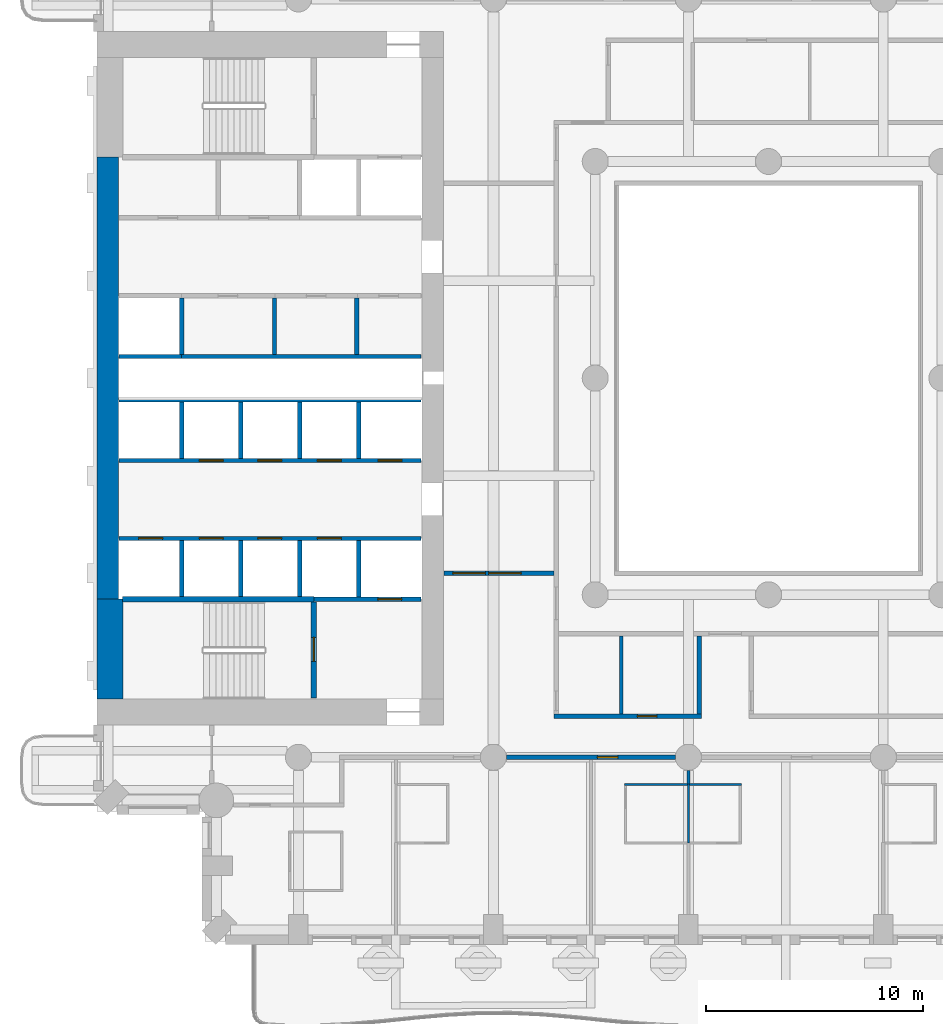
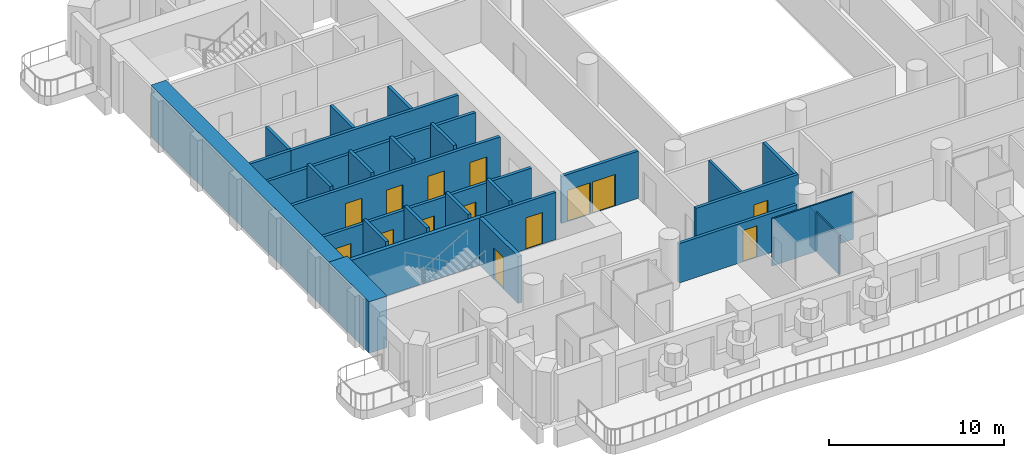
# One storey, part 4 of 20: 29 walls, 14 doors, 14 openings.
"""IFC4 building model written with IfcOpenShell, lengths in metres."""

from ifc_helpers import new_model, si_unit, direction, frame, frame_2d, origin, place, context, subcontext, project, spatial, rectangle, extrude, material, layer, layer_set, type_object, element, fill, save


model = new_model("IFC4")

# Units and contexts
model_context = context("Model", 3, precision=1e-05, world=origin(), true_north=direction((0.0, 1.0)))
body_context = subcontext(model_context, "Body", "Model", "MODEL_VIEW")
ifc_project = project(units=[si_unit("LENGTHUNIT", "METRE"), si_unit("AREAUNIT", "SQUARE_METRE"), si_unit("VOLUMEUNIT", "CUBIC_METRE"), si_unit("PLANEANGLEUNIT", "RADIAN"), si_unit("MASSUNIT", "GRAM", prefix="KILO")], contexts=[model_context])

# Site, building, storey
site_placement = place(None, origin())
site = spatial("IfcSite", under=ifc_project, at=site_placement, CompositionType="ELEMENT")
building_placement = place(site_placement, origin())
building = spatial("IfcBuilding", under=site, at=building_placement, Name="Cypress Arch Tower", CompositionType="ELEMENT")
storey_placement = place(building_placement, frame((0.0, 0.0, 95.10009765625)))
storey = spatial("IfcBuildingStorey", under=building, at=storey_placement, Name="L18", CompositionType="ELEMENT", Elevation=95.10009765625)

# Walls
ifc_material_1 = material(Name="Concrete C80/95", Category="concrete")
ifc_layer_1 = layer(ifc_material_1, 1.0)
ifc_layer_set_1 = layer_set([ifc_layer_1], Name="Core wall CW1000 C80/95")
wall_type_1 = type_object("IfcWallType", Name="Core wall CW1000 C80/95", PredefinedType="SHEAR", material=ifc_layer_set_1)
wall_1_placement = place(storey_placement, frame((-29.5, -10.199951171875, 0.0), z_axis=(0.0, 0.0, 1.0), x_axis=(0.0, 1.0, 0.0)))
element("IfcWall", 1, at=wall_1_placement, inside=storey, type_object=wall_type_1, Name="Core wall", PredefinedType="SHEAR", context=body_context, shape_type="SweptSolid", body=[
    extrude(rectangle(XDim=20.39990234375, YDim=1.0, at=frame_2d((10.199951171875, 0.0))), origin(), (0.0, 0.0, 1.0), 3.599853515625),
])
ifc_material_2 = material(Name="Concrete C80/95", Category="concrete")
ifc_layer_2 = layer(ifc_material_2, 1.199951171875)
ifc_layer_set_2 = layer_set([ifc_layer_2], Name="Core wall CW1200 C80/95")
wall_type_2 = type_object("IfcWallType", Name="Core wall CW1200 C80/95", PredefinedType="SHEAR", material=ifc_layer_set_2)
wall_2_placement = place(storey_placement, frame((-29.39990234375, -14.800048828125, 0.0), z_axis=(0.0, 0.0, 1.0), x_axis=(0.0, 1.0, 0.0)))
element("IfcWall", 2, at=wall_2_placement, inside=storey, type_object=wall_type_2, Name="Core wall", PredefinedType="SHEAR", context=body_context, shape_type="SweptSolid", body=[
    extrude(rectangle(XDim=4.60009765625, YDim=1.199951171875, at=frame_2d((2.300048828125, 0.0))), origin(), (0.0, 0.0, 1.0), 3.599853515625),
])

# Wall, opening, door
ifc_material_3 = material(Name="Concrete blockwork, plastered, rated", Category="masonry")
ifc_layer_3 = layer(ifc_material_3, 0.199951171875)
ifc_layer_set_3 = layer_set([ifc_layer_3], Name="Corridor wall FW200")
wall_type_3 = type_object("IfcWallType", Name="Corridor wall FW200", PredefinedType="PARTITIONING", material=ifc_layer_set_3)
wall_3_placement = place(storey_placement, frame((-11.10009765625, -17.5, 0.0), z_axis=(0.0, 0.0, 1.0), x_axis=(1.0, 0.0, 0.0)))
wall_3 = element("IfcWall", 3, at=wall_3_placement, inside=storey, type_object=wall_type_3, Name="Corridor wall", PredefinedType="PARTITIONING", context=body_context, shape_type="SweptSolid", body=[
    extrude(rectangle(XDim=7.800048828125, YDim=0.199951171875, at=frame_2d((3.89990234375, 0.0))), origin(), (0.0, 0.0, 1.0), 2.75),
])
opening_1_placement = place(wall_3_placement, frame((4.199951171875, 0.0, 0.0)))
opening_1 = element("IfcOpeningElement", 4, at=opening_1_placement, cuts=wall_3, Name="Opening D02", PredefinedType="OPENING", context=body_context, shape_type="SweptSolid", body=[
    extrude(rectangle(XDim=0.949951171875, YDim=2.199951171875, at=frame_2d((0.47509765625, 1.10009765625))), frame((0.0, 0.10986328125, 0.0), z_axis=(0.0, -1.0, 0.0), x_axis=(1.0, 0.0, 0.0)), (0.0, 0.0, 1.0), 0.219970703125),
])
ifc_material_4 = material(Name="Timber flush door, fire resisting", Category="wood")
door_type_1 = type_object("IfcDoorType", Name="Room door D02 950x2200", OperationType="SINGLE_SWING_LEFT", PredefinedType="DOOR", material=ifc_material_4)
door_1_placement = place(opening_1_placement, origin())
door_1 = element("IfcDoor", 5, at=door_1_placement, inside=storey, type_object=door_type_1, Name="Room door", OperationType="SINGLE_SWING_RIGHT", OverallHeight=2.199951171875, OverallWidth=0.949951171875, PredefinedType="DOOR", context=body_context, shape_type="SweptSolid", body=[
    extrude(rectangle(XDim=0.949951171875, YDim=2.199951171875, at=frame_2d((0.47509765625, 1.10009765625))), frame((0.0, 0.02490234375, 0.0), z_axis=(0.0, -1.0, 0.0), x_axis=(1.0, 0.0, 0.0)), (0.0, 0.0, 1.0), 0.050048828125),
])
fill(opening_1, door_1)

# Wall, openings, doors
wall_4_placement = place(storey_placement, frame((-13.969970703125, -9.0, 0.0), z_axis=(0.0, 0.0, 1.0), x_axis=(1.0, 0.0, 0.0)))
wall_4 = element("IfcWall", 6, at=wall_4_placement, inside=storey, type_object=wall_type_3, Name="Corridor wall", PredefinedType="PARTITIONING", context=body_context, shape_type="SweptSolid", body=[
    extrude(rectangle(XDim=5.070068359375, YDim=0.199951171875, at=frame_2d((2.53515625, 0.0))), origin(), (0.0, 0.0, 1.0), 3.2998046875),
])
opening_2_placement = place(wall_4_placement, frame((0.39990234375, 0.0, 0.0)))
opening_2 = element("IfcOpeningElement", 7, at=opening_2_placement, cuts=wall_4, Name="Opening D04", PredefinedType="OPENING", context=body_context, shape_type="SweptSolid", body=[
    extrude(rectangle(XDim=1.5, YDim=2.199951171875, at=frame_2d((0.75, 1.10009765625))), frame((0.0, 0.10986328125, 0.0), z_axis=(0.0, -1.0, 0.0), x_axis=(1.0, 0.0, 0.0)), (0.0, 0.0, 1.0), 0.219970703125),
])
opening_3_placement = place(wall_4_placement, frame((2.050048828125, 0.0, 0.0)))
opening_3 = element("IfcOpeningElement", 8, at=opening_3_placement, cuts=wall_4, Name="Opening D04", PredefinedType="OPENING", context=body_context, shape_type="SweptSolid", body=[
    extrude(rectangle(XDim=1.5, YDim=2.199951171875, at=frame_2d((0.75, 1.10009765625))), frame((0.0, 0.10986328125, 0.0), z_axis=(0.0, -1.0, 0.0), x_axis=(1.0, 0.0, 0.0)), (0.0, 0.0, 1.0), 0.219970703125),
])
ifc_material_5 = material(Name="Timber double door", Category="wood")
door_type_2 = type_object("IfcDoorType", Name="Double door D04 1500x2200", OperationType="DOUBLE_DOOR_SINGLE_SWING", PredefinedType="DOOR", material=ifc_material_5)
door_2_placement = place(opening_2_placement, origin())
door_2 = element("IfcDoor", 9, at=door_2_placement, inside=storey, type_object=door_type_2, Name="Double door", OperationType="DOUBLE_DOOR_SINGLE_SWING", OverallHeight=2.199951171875, OverallWidth=1.5, PredefinedType="DOOR", context=body_context, shape_type="SweptSolid", body=[
    extrude(rectangle(XDim=1.5, YDim=2.199951171875, at=frame_2d((0.75, 1.10009765625))), frame((0.0, 0.02490234375, 0.0), z_axis=(0.0, -1.0, 0.0), x_axis=(1.0, 0.0, 0.0)), (0.0, 0.0, 1.0), 0.050048828125),
])
fill(opening_2, door_2)
door_3_placement = place(opening_3_placement, origin())
door_3 = element("IfcDoor", 10, at=door_3_placement, inside=storey, type_object=door_type_2, Name="Double door", OperationType="DOUBLE_DOOR_SINGLE_SWING", OverallHeight=2.199951171875, OverallWidth=1.5, PredefinedType="DOOR", context=body_context, shape_type="SweptSolid", body=[
    extrude(rectangle(XDim=1.5, YDim=2.199951171875, at=frame_2d((0.75, 1.10009765625))), frame((0.0, 0.02490234375, 0.0), z_axis=(0.0, -1.0, 0.0), x_axis=(1.0, 0.0, 0.0)), (0.0, 0.0, 1.0), 0.050048828125),
])
fill(opening_3, door_3)

# Wall, opening, door
wall_5_placement = place(storey_placement, frame((-8.89990234375, -15.60009765625, 0.0), z_axis=(0.0, 0.0, 1.0), x_axis=(1.0, 0.0, 0.0)))
wall_5 = element("IfcWall", 11, at=wall_5_placement, inside=storey, type_object=wall_type_3, Name="Corridor wall", PredefinedType="PARTITIONING", context=body_context, shape_type="SweptSolid", body=[
    extrude(rectangle(XDim=6.7998046875, YDim=0.199951171875, at=frame_2d((3.39990234375, 0.0))), origin(), (0.0, 0.0, 1.0), 3.2998046875),
])
opening_4_placement = place(wall_5_placement, frame((3.85009765625, 0.0, 0.0)))
opening_4 = element("IfcOpeningElement", 12, at=opening_4_placement, cuts=wall_5, Name="Opening D05", PredefinedType="OPENING", context=body_context, shape_type="SweptSolid", body=[
    extrude(rectangle(XDim=0.89990234375, YDim=2.199951171875, at=frame_2d((0.449951171875, 1.10009765625))), frame((0.0, 0.10986328125, 0.0), z_axis=(0.0, -1.0, 0.0), x_axis=(1.0, 0.0, 0.0)), (0.0, 0.0, 1.0), 0.219970703125),
])
ifc_material_6 = material(Name="Timber flush door", Category="wood")
door_type_3 = type_object("IfcDoorType", Name="Service door D05 900x2200", OperationType="SINGLE_SWING_LEFT", PredefinedType="DOOR", material=ifc_material_6)
door_4_placement = place(opening_4_placement, origin())
door_4 = element("IfcDoor", 13, at=door_4_placement, inside=storey, type_object=door_type_3, Name="Service door", OperationType="SINGLE_SWING_LEFT", OverallHeight=2.199951171875, OverallWidth=0.89990234375, PredefinedType="DOOR", context=body_context, shape_type="SweptSolid", body=[
    extrude(rectangle(XDim=0.89990234375, YDim=2.199951171875, at=frame_2d((0.449951171875, 1.10009765625))), frame((0.0, 0.02490234375, 0.0), z_axis=(0.0, -1.0, 0.0), x_axis=(1.0, 0.0, 0.0)), (0.0, 0.0, 1.0), 0.050048828125),
])
fill(opening_4, door_4)

# Walls
wall_6_placement = place(storey_placement, frame((-2.199951171875, -15.5, 0.0), z_axis=(0.0, 0.0, 1.0), x_axis=(0.0, 1.0, 0.0)))
element("IfcWall", 14, at=wall_6_placement, inside=storey, type_object=wall_type_3, Name="Corridor wall", PredefinedType="PARTITIONING", context=body_context, shape_type="SweptSolid", body=[
    extrude(rectangle(XDim=3.60009765625, YDim=0.199951171875, at=frame_2d((1.800048828125, 0.0))), origin(), (0.0, 0.0, 1.0), 3.2998046875),
])
ifc_material_7 = material(Name="Blockwork, plastered both sides", Category="masonry")
ifc_layer_4 = layer(ifc_material_7, 0.14990234375)
ifc_layer_set_4 = layer_set([ifc_layer_4], Name="Partition PW150")
wall_type_4 = type_object("IfcWallType", Name="Partition PW150", PredefinedType="PARTITIONING", material=ifc_layer_set_4)
wall_7_placement = place(storey_placement, frame((-5.800048828125, -15.5, 0.0), z_axis=(0.0, 0.0, 1.0), x_axis=(0.0, 1.0, 0.0)))
element("IfcWall", 15, at=wall_7_placement, inside=storey, type_object=wall_type_4, Name="Partition", PredefinedType="PARTITIONING", context=body_context, shape_type="SweptSolid", body=[
    extrude(rectangle(XDim=3.60009765625, YDim=0.14990234375, at=frame_2d((1.800048828125, 0.0))), origin(), (0.0, 0.0, 1.0), 3.2998046875),
])
wall_8_placement = place(storey_placement, frame((-2.699951171875, -18.72998046875, 0.0), z_axis=(0.0, 0.0, 1.0), x_axis=(0.0, 1.0, 0.0)))
element("IfcWall", 16, at=wall_8_placement, inside=storey, type_object=wall_type_4, Name="Partition", PredefinedType="PARTITIONING", context=body_context, shape_type="SweptSolid", body=[
    extrude(rectangle(XDim=0.6298828125, YDim=0.14990234375, at=frame_2d((0.31494140625, 0.0))), origin(), (0.0, 0.0, 1.0), 2.75),
])
ifc_material_8 = material(Name="Reinforced blockwork, plastered, rated", Category="masonry")
ifc_layer_5 = layer(ifc_material_8, 0.199951171875)
ifc_layer_set_5 = layer_set([ifc_layer_5], Name="Plant and riser wall PL200")
wall_type_5 = type_object("IfcWallType", Name="Plant and riser wall PL200", PredefinedType="PARTITIONING", material=ifc_layer_set_5)
wall_9_placement = place(storey_placement, frame((-26.10009765625, 1.0, 0.0), z_axis=(0.0, 0.0, 1.0), x_axis=(1.0, 0.0, 0.0)))
element("IfcWall", 17, at=wall_9_placement, inside=storey, type_object=wall_type_5, Name="Plant and riser wall", PredefinedType="PARTITIONING", context=body_context, shape_type="SweptSolid", body=[
    extrude(rectangle(XDim=11.070068359375, YDim=0.199951171875, at=frame_2d((5.53515625, 0.0))), origin(), (0.0, 0.0, 1.0), 3.2998046875),
])
for number, where, z_axis, x_axis, name in (
    (18, (-21.800048828125, 1.10009765625, 0.0), (0.0, 0.0, 1.0), (0.0, 1.0, 0.0), "Plant and riser wall"),
    (19, (-18.0, 1.10009765625, 0.0), (0.0, 0.0, 1.0), (0.0, 1.0, 0.0), "Plant and riser wall"),
):
    element("IfcWall", number, at=place(storey_placement, frame(where, z_axis=z_axis, x_axis=x_axis)), inside=storey, type_object=wall_type_5, Name=name, PredefinedType="PARTITIONING", context=body_context, shape_type="SweptSolid", body=[
        extrude(rectangle(XDim=2.599853515625, YDim=0.199951171875, at=frame_2d((1.2998046875, 0.0))), origin(), (0.0, 0.0, 1.0), 3.2998046875),
    ])

# Wall, openings, doors
ifc_material_9 = material(Name="Concrete C50/60", Category="concrete")
ifc_layer_6 = layer(ifc_material_9, 0.199951171875)
ifc_layer_set_6 = layer_set([ifc_layer_6], Name="Shaft wall SH200")
wall_type_6 = type_object("IfcWallType", Name="Shaft wall SH200", PredefinedType="SHEAR", material=ifc_layer_set_6)
wall_10_placement = place(storey_placement, frame((-28.969970703125, -7.39990234375, 0.0), z_axis=(0.0, 0.0, 1.0), x_axis=(1.0, 0.0, 0.0)))
wall_10 = element("IfcWall", 20, at=wall_10_placement, inside=storey, type_object=wall_type_6, Name="Shaft wall", PredefinedType="SHEAR", context=body_context, shape_type="SweptSolid", body=[
    extrude(rectangle(XDim=13.93994140625, YDim=0.199951171875, at=frame_2d((6.969970703125, 0.0))), origin(), (0.0, 0.0, 1.0), 3.2998046875),
])
opening_5_placement = place(wall_10_placement, frame((0.89990234375, 0.0, 0.0)))
opening_5 = element("IfcOpeningElement", 21, at=opening_5_placement, cuts=wall_10, Name="Opening LD-LR1", PredefinedType="OPENING", context=body_context, shape_type="SweptSolid", body=[
    extrude(rectangle(XDim=1.10009765625, YDim=2.199951171875, at=frame_2d((0.550048828125, 1.10009765625))), frame((0.0, 0.10986328125, 0.0), z_axis=(0.0, -1.0, 0.0), x_axis=(1.0, 0.0, 0.0)), (0.0, 0.0, 1.0), 0.219970703125),
])
opening_6_placement = place(wall_10_placement, frame((3.699951171875, 0.0, 0.0)))
opening_6 = element("IfcOpeningElement", 22, at=opening_6_placement, cuts=wall_10, Name="Opening LD-LR2", PredefinedType="OPENING", context=body_context, shape_type="SweptSolid", body=[
    extrude(rectangle(XDim=1.10009765625, YDim=2.199951171875, at=frame_2d((0.550048828125, 1.10009765625))), frame((0.0, 0.10986328125, 0.0), z_axis=(0.0, -1.0, 0.0), x_axis=(1.0, 0.0, 0.0)), (0.0, 0.0, 1.0), 0.219970703125),
])
opening_7_placement = place(wall_10_placement, frame((6.39990234375, 0.0, 0.0)))
opening_7 = element("IfcOpeningElement", 23, at=opening_7_placement, cuts=wall_10, Name="Opening LD-LR3", PredefinedType="OPENING", context=body_context, shape_type="SweptSolid", body=[
    extrude(rectangle(XDim=1.10009765625, YDim=2.199951171875, at=frame_2d((0.550048828125, 1.10009765625))), frame((0.0, 0.10986328125, 0.0), z_axis=(0.0, -1.0, 0.0), x_axis=(1.0, 0.0, 0.0)), (0.0, 0.0, 1.0), 0.219970703125),
])
opening_8_placement = place(wall_10_placement, frame((9.14990234375, 0.0, 0.0)))
opening_8 = element("IfcOpeningElement", 24, at=opening_8_placement, cuts=wall_10, Name="Opening LD-LR4", PredefinedType="OPENING", context=body_context, shape_type="SweptSolid", body=[
    extrude(rectangle(XDim=1.10009765625, YDim=2.199951171875, at=frame_2d((0.550048828125, 1.10009765625))), frame((0.0, 0.10986328125, 0.0), z_axis=(0.0, -1.0, 0.0), x_axis=(1.0, 0.0, 0.0)), (0.0, 0.0, 1.0), 0.219970703125),
])
ifc_material_10 = material(Name="Stainless steel centre-opening landing door, rated", Category="steel")
door_type_4 = type_object("IfcDoorType", Name="Lift landing door LD 1100x2200", OperationType="DOUBLE_DOOR_SLIDING", PredefinedType="DOOR", material=ifc_material_10)
door_5_placement = place(opening_5_placement, origin())
door_5 = element("IfcDoor", 25, at=door_5_placement, inside=storey, type_object=door_type_4, Name="Lift landing doors LR1", OperationType="DOUBLE_DOOR_SLIDING", OverallHeight=2.199951171875, OverallWidth=1.10009765625, PredefinedType="DOOR", context=body_context, shape_type="SweptSolid", body=[
    extrude(rectangle(XDim=1.10009765625, YDim=2.199951171875, at=frame_2d((0.550048828125, 1.10009765625))), frame((0.0, 0.02490234375, 0.0), z_axis=(0.0, -1.0, 0.0), x_axis=(1.0, 0.0, 0.0)), (0.0, 0.0, 1.0), 0.050048828125),
])
fill(opening_5, door_5)
door_6_placement = place(opening_6_placement, origin())
door_6 = element("IfcDoor", 26, at=door_6_placement, inside=storey, type_object=door_type_4, Name="Lift landing doors LR2", OperationType="DOUBLE_DOOR_SLIDING", OverallHeight=2.199951171875, OverallWidth=1.10009765625, PredefinedType="DOOR", context=body_context, shape_type="SweptSolid", body=[
    extrude(rectangle(XDim=1.10009765625, YDim=2.199951171875, at=frame_2d((0.550048828125, 1.10009765625))), frame((0.0, 0.02490234375, 0.0), z_axis=(0.0, -1.0, 0.0), x_axis=(1.0, 0.0, 0.0)), (0.0, 0.0, 1.0), 0.050048828125),
])
fill(opening_6, door_6)
door_7_placement = place(opening_7_placement, origin())
door_7 = element("IfcDoor", 27, at=door_7_placement, inside=storey, type_object=door_type_4, Name="Lift landing doors LR3", OperationType="DOUBLE_DOOR_SLIDING", OverallHeight=2.199951171875, OverallWidth=1.10009765625, PredefinedType="DOOR", context=body_context, shape_type="SweptSolid", body=[
    extrude(rectangle(XDim=1.10009765625, YDim=2.199951171875, at=frame_2d((0.550048828125, 1.10009765625))), frame((0.0, 0.02490234375, 0.0), z_axis=(0.0, -1.0, 0.0), x_axis=(1.0, 0.0, 0.0)), (0.0, 0.0, 1.0), 0.050048828125),
])
fill(opening_7, door_7)
door_8_placement = place(opening_8_placement, origin())
door_8 = element("IfcDoor", 28, at=door_8_placement, inside=storey, type_object=door_type_4, Name="Lift landing doors LR4", OperationType="DOUBLE_DOOR_SLIDING", OverallHeight=2.199951171875, OverallWidth=1.10009765625, PredefinedType="DOOR", context=body_context, shape_type="SweptSolid", body=[
    extrude(rectangle(XDim=1.10009765625, YDim=2.199951171875, at=frame_2d((0.550048828125, 1.10009765625))), frame((0.0, 0.02490234375, 0.0), z_axis=(0.0, -1.0, 0.0), x_axis=(1.0, 0.0, 0.0)), (0.0, 0.0, 1.0), 0.050048828125),
])
fill(opening_8, door_8)

wall_11_placement = place(storey_placement, frame((-28.969970703125, -3.800048828125, 0.0), z_axis=(0.0, 0.0, 1.0), x_axis=(1.0, 0.0, 0.0)))
wall_11 = element("IfcWall", 29, at=wall_11_placement, inside=storey, type_object=wall_type_6, Name="Shaft wall", PredefinedType="SHEAR", context=body_context, shape_type="SweptSolid", body=[
    extrude(rectangle(XDim=13.93994140625, YDim=0.199951171875, at=frame_2d((6.969970703125, 0.0))), origin(), (0.0, 0.0, 1.0), 3.2998046875),
])
opening_9_placement = place(wall_11_placement, frame((3.699951171875, 0.0, 0.0)))
opening_9 = element("IfcOpeningElement", 30, at=opening_9_placement, cuts=wall_11, Name="Opening LD-LR5", PredefinedType="OPENING", context=body_context, shape_type="SweptSolid", body=[
    extrude(rectangle(XDim=1.10009765625, YDim=2.199951171875, at=frame_2d((0.550048828125, 1.10009765625))), frame((0.0, 0.10986328125, 0.0), z_axis=(0.0, -1.0, 0.0), x_axis=(1.0, 0.0, 0.0)), (0.0, 0.0, 1.0), 0.219970703125),
])
opening_10_placement = place(wall_11_placement, frame((6.39990234375, 0.0, 0.0)))
opening_10 = element("IfcOpeningElement", 31, at=opening_10_placement, cuts=wall_11, Name="Opening LD-LR6", PredefinedType="OPENING", context=body_context, shape_type="SweptSolid", body=[
    extrude(rectangle(XDim=1.10009765625, YDim=2.199951171875, at=frame_2d((0.550048828125, 1.10009765625))), frame((0.0, 0.10986328125, 0.0), z_axis=(0.0, -1.0, 0.0), x_axis=(1.0, 0.0, 0.0)), (0.0, 0.0, 1.0), 0.219970703125),
])
opening_11_placement = place(wall_11_placement, frame((9.14990234375, 0.0, 0.0)))
opening_11 = element("IfcOpeningElement", 32, at=opening_11_placement, cuts=wall_11, Name="Opening LD-LR7", PredefinedType="OPENING", context=body_context, shape_type="SweptSolid", body=[
    extrude(rectangle(XDim=1.10009765625, YDim=2.199951171875, at=frame_2d((0.550048828125, 1.10009765625))), frame((0.0, 0.10986328125, 0.0), z_axis=(0.0, -1.0, 0.0), x_axis=(1.0, 0.0, 0.0)), (0.0, 0.0, 1.0), 0.219970703125),
])
opening_12_placement = place(wall_11_placement, frame((11.949951171875, 0.0, 0.0)))
opening_12 = element("IfcOpeningElement", 33, at=opening_12_placement, cuts=wall_11, Name="Opening LD-LR8", PredefinedType="OPENING", context=body_context, shape_type="SweptSolid", body=[
    extrude(rectangle(XDim=1.10009765625, YDim=2.199951171875, at=frame_2d((0.550048828125, 1.10009765625))), frame((0.0, 0.10986328125, 0.0), z_axis=(0.0, -1.0, 0.0), x_axis=(1.0, 0.0, 0.0)), (0.0, 0.0, 1.0), 0.219970703125),
])
door_9_placement = place(opening_9_placement, origin())
door_9 = element("IfcDoor", 34, at=door_9_placement, inside=storey, type_object=door_type_4, Name="Lift landing doors LR5", OperationType="DOUBLE_DOOR_SLIDING", OverallHeight=2.199951171875, OverallWidth=1.10009765625, PredefinedType="DOOR", context=body_context, shape_type="SweptSolid", body=[
    extrude(rectangle(XDim=1.10009765625, YDim=2.199951171875, at=frame_2d((0.550048828125, 1.10009765625))), frame((0.0, 0.02490234375, 0.0), z_axis=(0.0, -1.0, 0.0), x_axis=(1.0, 0.0, 0.0)), (0.0, 0.0, 1.0), 0.050048828125),
])
fill(opening_9, door_9)
door_10_placement = place(opening_10_placement, origin())
door_10 = element("IfcDoor", 35, at=door_10_placement, inside=storey, type_object=door_type_4, Name="Lift landing doors LR6", OperationType="DOUBLE_DOOR_SLIDING", OverallHeight=2.199951171875, OverallWidth=1.10009765625, PredefinedType="DOOR", context=body_context, shape_type="SweptSolid", body=[
    extrude(rectangle(XDim=1.10009765625, YDim=2.199951171875, at=frame_2d((0.550048828125, 1.10009765625))), frame((0.0, 0.02490234375, 0.0), z_axis=(0.0, -1.0, 0.0), x_axis=(1.0, 0.0, 0.0)), (0.0, 0.0, 1.0), 0.050048828125),
])
fill(opening_10, door_10)
door_11_placement = place(opening_11_placement, origin())
door_11 = element("IfcDoor", 36, at=door_11_placement, inside=storey, type_object=door_type_4, Name="Lift landing doors LR7", OperationType="DOUBLE_DOOR_SLIDING", OverallHeight=2.199951171875, OverallWidth=1.10009765625, PredefinedType="DOOR", context=body_context, shape_type="SweptSolid", body=[
    extrude(rectangle(XDim=1.10009765625, YDim=2.199951171875, at=frame_2d((0.550048828125, 1.10009765625))), frame((0.0, 0.02490234375, 0.0), z_axis=(0.0, -1.0, 0.0), x_axis=(1.0, 0.0, 0.0)), (0.0, 0.0, 1.0), 0.050048828125),
])
fill(opening_11, door_11)
door_12_placement = place(opening_12_placement, origin())
door_12 = element("IfcDoor", 37, at=door_12_placement, inside=storey, type_object=door_type_4, Name="Lift landing doors LR8", OperationType="DOUBLE_DOOR_SLIDING", OverallHeight=2.199951171875, OverallWidth=1.10009765625, PredefinedType="DOOR", context=body_context, shape_type="SweptSolid", body=[
    extrude(rectangle(XDim=1.10009765625, YDim=2.199951171875, at=frame_2d((0.550048828125, 1.10009765625))), frame((0.0, 0.02490234375, 0.0), z_axis=(0.0, -1.0, 0.0), x_axis=(1.0, 0.0, 0.0)), (0.0, 0.0, 1.0), 0.050048828125),
])
fill(opening_12, door_12)

# Walls
wall_12_placement = place(storey_placement, frame((-28.969970703125, -1.0, 0.0), z_axis=(0.0, 0.0, 1.0), x_axis=(1.0, 0.0, 0.0)))
element("IfcWall", 38, at=wall_12_placement, inside=storey, type_object=wall_type_6, Name="Shaft wall", PredefinedType="SHEAR", context=body_context, shape_type="SweptSolid", body=[
    extrude(rectangle(XDim=13.93994140625, YDim=0.199951171875, at=frame_2d((6.969970703125, 0.0))), origin(), (0.0, 0.0, 1.0), 3.2998046875),
])
wall_13_placement = place(storey_placement, frame((-28.969970703125, 1.0, 0.0), z_axis=(0.0, 0.0, 1.0), x_axis=(1.0, 0.0, 0.0)))
element("IfcWall", 39, at=wall_13_placement, inside=storey, type_object=wall_type_6, Name="Shaft wall", PredefinedType="SHEAR", context=body_context, shape_type="SweptSolid", body=[
    extrude(rectangle(XDim=2.869873046875, YDim=0.199951171875, at=frame_2d((1.43505859375, 0.0))), origin(), (0.0, 0.0, 1.0), 3.2998046875),
])
wall_14_placement = place(storey_placement, frame((-26.080078125, -10.074951171875, 0.0), z_axis=(0.0, 0.0, 1.0), x_axis=(0.0, 1.0, 0.0)))
element("IfcWall", 40, at=wall_14_placement, inside=storey, type_object=wall_type_6, Name="Shaft wall", PredefinedType="SHEAR", context=body_context, shape_type="SweptSolid", body=[
    extrude(rectangle(XDim=2.574951171875, YDim=0.199951171875, at=frame_2d((1.28759765625, 0.0))), origin(), (0.0, 0.0, 1.0), 3.599853515625),
])
wall_15_placement = place(storey_placement, frame((-26.080078125, -3.699951171875, 0.0), z_axis=(0.0, 0.0, 1.0), x_axis=(0.0, 1.0, 0.0)))
element("IfcWall", 41, at=wall_15_placement, inside=storey, type_object=wall_type_6, Name="Shaft wall", PredefinedType="SHEAR", context=body_context, shape_type="SweptSolid", body=[
    extrude(rectangle(XDim=2.599853515625, YDim=0.199951171875, at=frame_2d((1.2998046875, 0.0))), origin(), (0.0, 0.0, 1.0), 3.599853515625),
])
wall_16_placement = place(storey_placement, frame((-26.080078125, 1.10009765625, 0.0), z_axis=(0.0, 0.0, 1.0), x_axis=(0.0, 1.0, 0.0)))
element("IfcWall", 42, at=wall_16_placement, inside=storey, type_object=wall_type_6, Name="Shaft wall", PredefinedType="SHEAR", context=body_context, shape_type="SweptSolid", body=[
    extrude(rectangle(XDim=2.599853515625, YDim=0.199951171875, at=frame_2d((1.2998046875, 0.0))), origin(), (0.0, 0.0, 1.0), 3.2998046875),
])
wall_17_placement = place(storey_placement, frame((-23.360107421875, -10.074951171875, 0.0), z_axis=(0.0, 0.0, 1.0), x_axis=(0.0, 1.0, 0.0)))
element("IfcWall", 43, at=wall_17_placement, inside=storey, type_object=wall_type_6, Name="Shaft wall", PredefinedType="SHEAR", context=body_context, shape_type="SweptSolid", body=[
    extrude(rectangle(XDim=2.574951171875, YDim=0.199951171875, at=frame_2d((1.28759765625, 0.0))), origin(), (0.0, 0.0, 1.0), 3.599853515625),
])
wall_18_placement = place(storey_placement, frame((-23.360107421875, -3.699951171875, 0.0), z_axis=(0.0, 0.0, 1.0), x_axis=(0.0, 1.0, 0.0)))
element("IfcWall", 44, at=wall_18_placement, inside=storey, type_object=wall_type_6, Name="Shaft wall", PredefinedType="SHEAR", context=body_context, shape_type="SweptSolid", body=[
    extrude(rectangle(XDim=2.599853515625, YDim=0.199951171875, at=frame_2d((1.2998046875, 0.0))), origin(), (0.0, 0.0, 1.0), 3.599853515625),
])
wall_19_placement = place(storey_placement, frame((-20.639892578125, -10.074951171875, 0.0), z_axis=(0.0, 0.0, 1.0), x_axis=(0.0, 1.0, 0.0)))
element("IfcWall", 45, at=wall_19_placement, inside=storey, type_object=wall_type_6, Name="Shaft wall", PredefinedType="SHEAR", context=body_context, shape_type="SweptSolid", body=[
    extrude(rectangle(XDim=2.574951171875, YDim=0.199951171875, at=frame_2d((1.28759765625, 0.0))), origin(), (0.0, 0.0, 1.0), 3.599853515625),
])
wall_20_placement = place(storey_placement, frame((-20.639892578125, -3.699951171875, 0.0), z_axis=(0.0, 0.0, 1.0), x_axis=(0.0, 1.0, 0.0)))
element("IfcWall", 46, at=wall_20_placement, inside=storey, type_object=wall_type_6, Name="Shaft wall", PredefinedType="SHEAR", context=body_context, shape_type="SweptSolid", body=[
    extrude(rectangle(XDim=2.599853515625, YDim=0.199951171875, at=frame_2d((1.2998046875, 0.0))), origin(), (0.0, 0.0, 1.0), 3.599853515625),
])

# Wall, opening, door
wall_21_placement = place(storey_placement, frame((-19.97998046875, -10.199951171875, 0.0), z_axis=(0.0, 0.0, 1.0), x_axis=(1.0, 0.0, 0.0)))
wall_21 = element("IfcWall", 47, at=wall_21_placement, inside=storey, type_object=wall_type_6, Name="Shaft wall", PredefinedType="SHEAR", context=body_context, shape_type="SweptSolid", body=[
    extrude(rectangle(XDim=4.949951171875, YDim=0.199951171875, at=frame_2d((2.47509765625, 0.0))), origin(), (0.0, 0.0, 1.0), 3.2998046875),
])
opening_13_placement = place(wall_21_placement, frame((2.949951171875, 0.0, 0.0)))
opening_13 = element("IfcOpeningElement", 48, at=opening_13_placement, cuts=wall_21, Name="Opening LD-FL1", PredefinedType="OPENING", context=body_context, shape_type="SweptSolid", body=[
    extrude(rectangle(XDim=1.10009765625, YDim=2.199951171875, at=frame_2d((0.550048828125, 1.10009765625))), frame((0.0, 0.10986328125, 0.0), z_axis=(0.0, -1.0, 0.0), x_axis=(1.0, 0.0, 0.0)), (0.0, 0.0, 1.0), 0.219970703125),
])
door_13_placement = place(opening_13_placement, origin())
door_13 = element("IfcDoor", 49, at=door_13_placement, inside=storey, type_object=door_type_4, Name="Lift landing doors FL1", OperationType="DOUBLE_DOOR_SLIDING", OverallHeight=2.199951171875, OverallWidth=1.10009765625, PredefinedType="DOOR", context=body_context, shape_type="SweptSolid", body=[
    extrude(rectangle(XDim=1.10009765625, YDim=2.199951171875, at=frame_2d((0.550048828125, 1.10009765625))), frame((0.0, 0.02490234375, 0.0), z_axis=(0.0, -1.0, 0.0), x_axis=(1.0, 0.0, 0.0)), (0.0, 0.0, 1.0), 0.050048828125),
])
fill(opening_13, door_13)

# Walls
wall_22_placement = place(storey_placement, frame((-17.919921875, -10.10009765625, 0.0), z_axis=(0.0, 0.0, 1.0), x_axis=(0.0, 1.0, 0.0)))
element("IfcWall", 50, at=wall_22_placement, inside=storey, type_object=wall_type_6, Name="Shaft wall", PredefinedType="SHEAR", context=body_context, shape_type="SweptSolid", body=[
    extrude(rectangle(XDim=2.60009765625, YDim=0.199951171875, at=frame_2d((1.300048828125, 0.0))), origin(), (0.0, 0.0, 1.0), 3.599853515625),
])
wall_23_placement = place(storey_placement, frame((-17.919921875, -3.699951171875, 0.0), z_axis=(0.0, 0.0, 1.0), x_axis=(0.0, 1.0, 0.0)))
element("IfcWall", 51, at=wall_23_placement, inside=storey, type_object=wall_type_6, Name="Shaft wall", PredefinedType="SHEAR", context=body_context, shape_type="SweptSolid", body=[
    extrude(rectangle(XDim=2.599853515625, YDim=0.199951171875, at=frame_2d((1.2998046875, 0.0))), origin(), (0.0, 0.0, 1.0), 3.599853515625),
])
ifc_material_11 = material(Name="Concrete C50/60", Category="concrete")
ifc_layer_7 = layer(ifc_material_11, 0.25)
ifc_layer_set_7 = layer_set([ifc_layer_7], Name="Stair enclosure wall SW250")
wall_type_7 = type_object("IfcWallType", Name="Stair enclosure wall SW250", PredefinedType="SHEAR", material=ifc_layer_set_7)
wall_24_placement = place(storey_placement, frame((-28.81005859375, -10.199951171875, 0.0), z_axis=(0.0, 0.0, 1.0), x_axis=(1.0, 0.0, 0.0)))
element("IfcWall", 52, at=wall_24_placement, inside=storey, type_object=wall_type_7, Name="Stair enclosure wall", PredefinedType="SHEAR", context=body_context, shape_type="SweptSolid", body=[
    extrude(rectangle(XDim=8.830078125, YDim=0.25, at=frame_2d((4.4150390625, 0.0))), origin(), (0.0, 0.0, 1.0), 3.2998046875),
])

# Wall, opening, door
wall_25_placement = place(storey_placement, frame((-20.0, -14.77001953125, 0.0), z_axis=(0.0, 0.0, 1.0), x_axis=(0.0, 1.0, 0.0)))
wall_25 = element("IfcWall", 53, at=wall_25_placement, inside=storey, type_object=wall_type_7, Name="Stair enclosure wall", PredefinedType="SHEAR", context=body_context, shape_type="SweptSolid", body=[
    extrude(rectangle(XDim=4.445068359375, YDim=0.25, at=frame_2d((2.22265625, 0.0))), origin(), (0.0, 0.0, 1.0), 3.2998046875),
])
opening_14_placement = place(wall_25_placement, frame((1.699951171875, 0.0, 0.0)))
opening_14 = element("IfcOpeningElement", 54, at=opening_14_placement, cuts=wall_25, Name="Opening D06", PredefinedType="OPENING", context=body_context, shape_type="SweptSolid", body=[
    extrude(rectangle(XDim=1.10009765625, YDim=2.199951171875, at=frame_2d((0.550048828125, 1.10009765625))), frame((0.0, 0.135009765625, 0.0), z_axis=(0.0, -1.0, 0.0), x_axis=(1.0, 0.0, 0.0)), (0.0, 0.0, 1.0), 0.27001953125),
])
ifc_material_12 = material(Name="Steel door, fire resisting, panic bar", Category="steel")
door_type_5 = type_object("IfcDoorType", Name="Stair door D06 1100x2200", OperationType="SINGLE_SWING_LEFT", PredefinedType="DOOR", material=ifc_material_12)
door_14_placement = place(opening_14_placement, origin())
door_14 = element("IfcDoor", 55, at=door_14_placement, inside=storey, type_object=door_type_5, Name="Stair door", OperationType="SINGLE_SWING_RIGHT", OverallHeight=2.199951171875, OverallWidth=1.10009765625, PredefinedType="DOOR", context=body_context, shape_type="SweptSolid", body=[
    extrude(rectangle(XDim=1.10009765625, YDim=2.199951171875, at=frame_2d((0.550048828125, 1.10009765625))), frame((0.0, 0.02490234375, 0.0), z_axis=(0.0, -1.0, 0.0), x_axis=(1.0, 0.0, 0.0)), (0.0, 0.0, 1.0), 0.050048828125),
])
fill(opening_14, door_14)

# Walls
ifc_material_13 = material(Name="Moisture resistant board on steel studs, tiled", Category="steel")
ifc_layer_8 = layer(ifc_material_13, 0.10009765625)
ifc_layer_set_8 = layer_set([ifc_layer_8], Name="Wet wall PW100")
wall_type_8 = type_object("IfcWallType", Name="Wet wall PW100", PredefinedType="PARTITIONING", material=ifc_layer_set_8)
wall_26_placement = place(storey_placement, frame((-5.64599609375, -18.75, 0.0), z_axis=(0.0, 0.0, 1.0), x_axis=(1.0, 0.0, 0.0)))
element("IfcWall", 56, at=wall_26_placement, inside=storey, type_object=wall_type_8, Name="Wet wall", PredefinedType="PARTITIONING", context=body_context, shape_type="SweptSolid", body=[
    extrude(rectangle(XDim=5.39208984375, YDim=0.10009765625, at=frame_2d((2.696044921875, 0.0))), origin(), (0.0, 0.0, 1.0), 3.2998046875),
])
wall_27_placement = place(storey_placement, frame((-2.699951171875, -21.449951171875, 0.0), z_axis=(0.0, 0.0, 1.0), x_axis=(0.0, 1.0, 0.0)))
element("IfcWall", 57, at=wall_27_placement, inside=storey, type_object=wall_type_8, Name="Wet wall", PredefinedType="PARTITIONING", context=body_context, shape_type="SweptSolid", body=[
    extrude(rectangle(XDim=2.719970703125, YDim=0.10009765625, at=frame_2d((1.35986328125, 0.0))), origin(), (0.0, 0.0, 1.0), 2.75),
])

save(model, "model.ifc")
